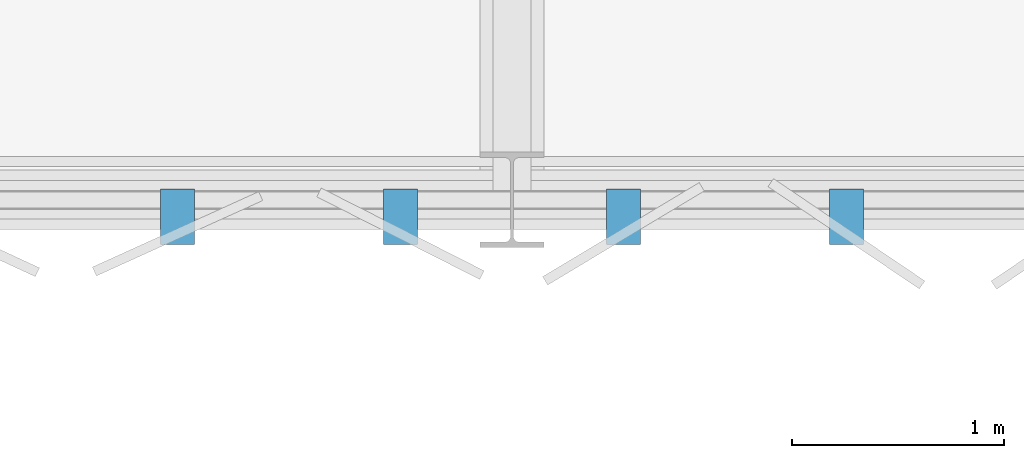
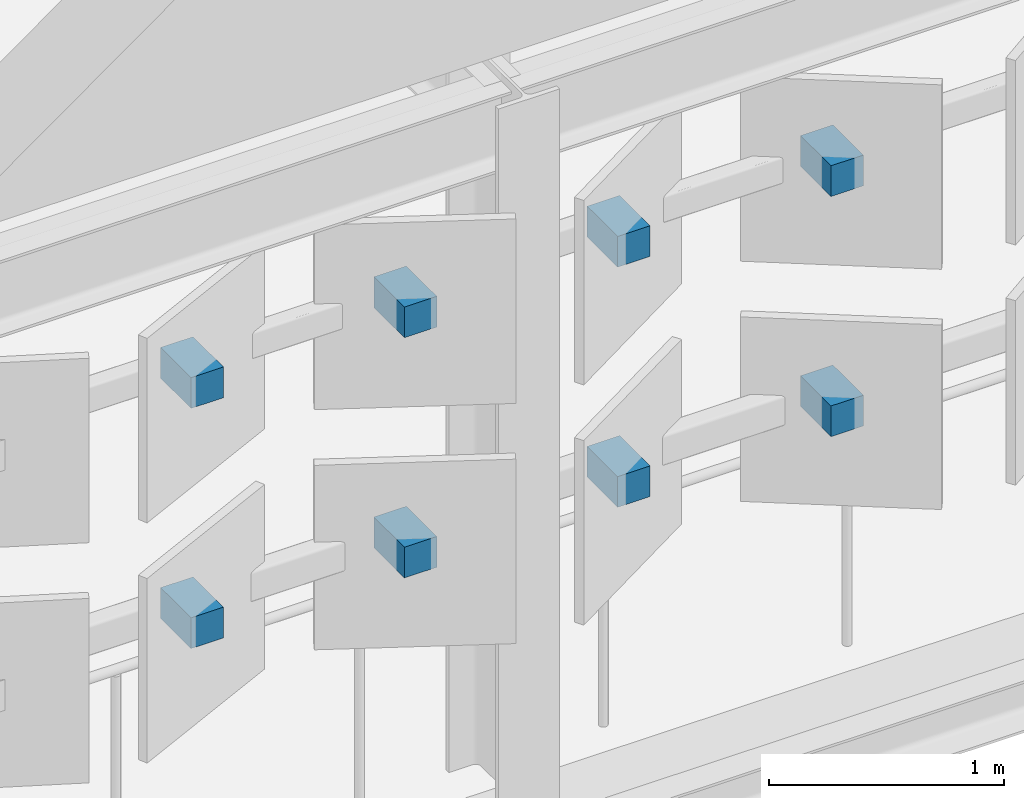
# One storey, part 58 of 65: 8 discrete accessories.
"""IFC4 building model written with IfcOpenShell, lengths in metres."""

from ifc_helpers import new_model, si_unit, direction, frame, origin, origin_2d, place, context, subcontext, project, spatial, rectangle, extrude, material, type_object, element, save


model = new_model("IFC4")

# Units and contexts
model_context = context("Model", 3, precision=1e-05, world=origin(), true_north=direction((0.0, 1.0)))
body_context = subcontext(model_context, "Body", "Model", "MODEL_VIEW")
ifc_project = project(units=[si_unit("LENGTHUNIT", "METRE"), si_unit("AREAUNIT", "SQUARE_METRE"), si_unit("VOLUMEUNIT", "CUBIC_METRE"), si_unit("PLANEANGLEUNIT", "RADIAN"), si_unit("MASSUNIT", "GRAM", prefix="KILO")], contexts=[model_context])

# Site, building, storey
site_placement = place(None, origin())
site = spatial("IfcSite", under=ifc_project, at=site_placement, CompositionType="ELEMENT")
building_placement = place(site_placement, origin())
building = spatial("IfcBuilding", under=site, at=building_placement, Name="Qalvenar Corner Mobility Hub", CompositionType="ELEMENT")
storey_placement = place(building_placement, frame((0.0, 0.0, 17.39990234375)))
storey = spatial("IfcBuildingStorey", under=building, at=storey_placement, Name="L04", CompositionType="ELEMENT", Elevation=17.39990234375)

# Discrete accessories
ifc_material = material(Name="Steel S355", Category="steel")
discrete_accessory_type = type_object("IfcDiscreteAccessoryType", Name="ACC-HINGE-BRK", PredefinedType="BRACKET", material=ifc_material)
for number, where, z_axis, x_axis, name in (
    (1, (124.425048828125, 67.1201171875, 1.419921875), (0.0, 0.0, 1.0), (1.0, 0.0, 0.0), "Panel Hinge Bracket BK-L04-1189"),
    (2, (124.425048828125, 67.1201171875, 2.669921875), (0.0, 0.0, 1.0), (1.0, 0.0, 0.0), "Panel Hinge Bracket BK-L04-1190"),
    (3, (125.47509765625, 67.1201171875, 1.419921875), (0.0, 0.0, 1.0), (1.0, 0.0, 0.0), "Panel Hinge Bracket BK-L04-1191"),
    (4, (125.47509765625, 67.1201171875, 2.669921875), (0.0, 0.0, 1.0), (1.0, 0.0, 0.0), "Panel Hinge Bracket BK-L04-1192"),
    (5, (126.52490234375, 67.1201171875, 1.419921875), (0.0, 0.0, 1.0), (1.0, 0.0, 0.0), "Panel Hinge Bracket BK-L04-1193"),
    (6, (126.52490234375, 67.1201171875, 2.669921875), (0.0, 0.0, 1.0), (1.0, 0.0, 0.0), "Panel Hinge Bracket BK-L04-1194"),
    (7, (127.574951171875, 67.1201171875, 1.419921875), (0.0, 0.0, 1.0), (1.0, 0.0, 0.0), "Panel Hinge Bracket BK-L04-1195"),
    (8, (127.574951171875, 67.1201171875, 2.669921875), (0.0, 0.0, 1.0), (1.0, 0.0, 0.0), "Panel Hinge Bracket BK-L04-1196"),
):
    element("IfcDiscreteAccessory", number, at=place(storey_placement, frame(where, z_axis=z_axis, x_axis=x_axis)), inside=storey, type_object=discrete_accessory_type, Name=name, PredefinedType="BRACKET", context=body_context, shape_type="SweptSolid", body=[
        extrude(rectangle(XDim=0.159912109375, YDim=0.260009765625, at=origin_2d()), origin(), (0.0, 0.0, 1.0), 0.159912109375),
    ])

save(model, "model.ifc")
